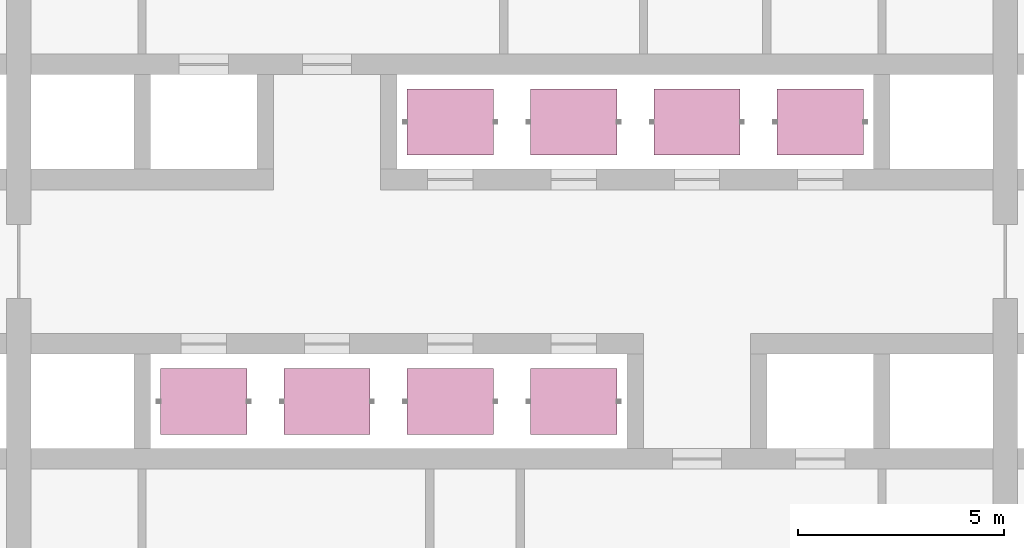
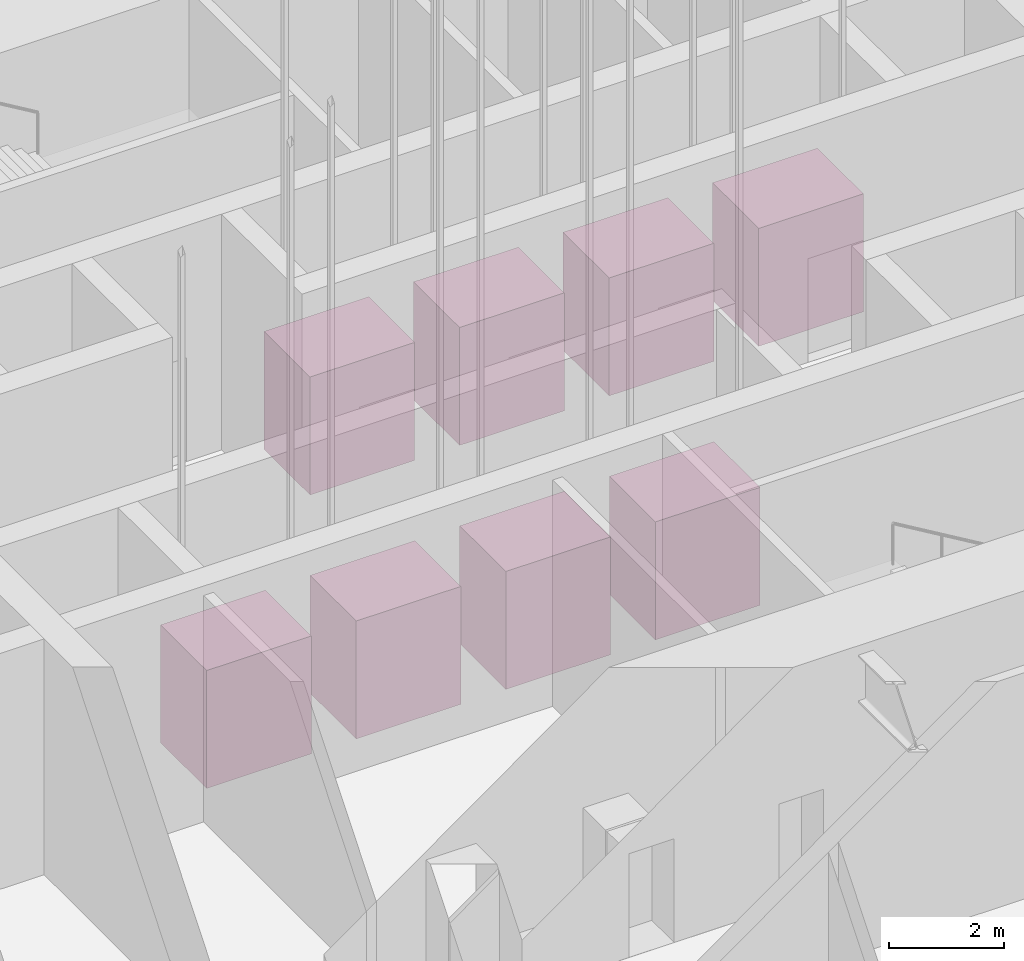
# One storey, part 14 of 15: 8 transport elements.
"""IFC4 building model written with IfcOpenShell, lengths in metres."""

from ifc_helpers import new_model, si_unit, direction, frame, origin, origin_2d, place, context, subcontext, project, spatial, rectangle, extrude, material, type_object, element, save


model = new_model("IFC4")

# Units and contexts
model_context = context("Model", 3, precision=1e-05, world=origin(), true_north=direction((0.0, 1.0)))
body_context = subcontext(model_context, "Body", "Model", "MODEL_VIEW")
ifc_project = project(units=[si_unit("LENGTHUNIT", "METRE"), si_unit("AREAUNIT", "SQUARE_METRE"), si_unit("VOLUMEUNIT", "CUBIC_METRE"), si_unit("PLANEANGLEUNIT", "RADIAN"), si_unit("MASSUNIT", "GRAM", prefix="KILO")], contexts=[model_context])

# Site, building, storey
site_placement = place(None, origin())
site = spatial("IfcSite", under=ifc_project, at=site_placement, CompositionType="ELEMENT")
building_placement = place(site_placement, origin())
building = spatial("IfcBuilding", under=site, at=building_placement, Name="Tarfa Lantern Tower", CompositionType="ELEMENT")
storey_placement = place(building_placement, frame((0.0, 0.0, 114.5)))
storey = spatial("IfcBuildingStorey", under=building, at=storey_placement, Name="L25", CompositionType="ELEMENT", Elevation=114.5)

# Transport elements
ifc_material = material(Name="Steel lift car", Category="steel")
transport_element_type = type_object("IfcTransportElementType", Name="LT5 PASSENGER LIFT 1600 KG", PredefinedType="ELEVATOR", material=ifc_material)
for number, where, z_axis, x_axis, name in (
    (1, (-1.5, 3.39990234375, 0.0), (0.0, 0.0, 1.0), (1.0, 0.0, 0.0), "Lift PB1"),
    (2, (1.5, 3.39990234375, 0.0), (0.0, 0.0, 1.0), (1.0, 0.0, 0.0), "Lift PB2"),
    (3, (4.5, 3.39990234375, 0.0), (0.0, 0.0, 1.0), (1.0, 0.0, 0.0), "Lift PB3"),
    (4, (7.5, 3.39990234375, 0.0), (0.0, 0.0, 1.0), (1.0, 0.0, 0.0), "Lift PB4"),
    (5, (1.5, -3.39990234375, 0.0), (0.0, 0.0, 1.0), (1.0, 0.0, 0.0), "Lift PB5"),
    (6, (-1.5, -3.39990234375, 0.0), (0.0, 0.0, 1.0), (1.0, 0.0, 0.0), "Lift PB6"),
    (7, (-4.5, -3.39990234375, 0.0), (0.0, 0.0, 1.0), (1.0, 0.0, 0.0), "Lift PB7"),
    (8, (-7.5, -3.39990234375, 0.0), (0.0, 0.0, 1.0), (1.0, 0.0, 0.0), "Lift PB8"),
):
    element("IfcTransportElement", number, at=place(storey_placement, frame(where, z_axis=z_axis, x_axis=x_axis)), inside=storey, type_object=transport_element_type, Name=name, PredefinedType="ELEVATOR", context=body_context, shape_type="SweptSolid", body=[
        extrude(rectangle(XDim=2.10009765625, YDim=1.60009765625, at=origin_2d()), origin(), (0.0, 0.0, 1.0), 2.5),
    ])

save(model, "model.ifc")
